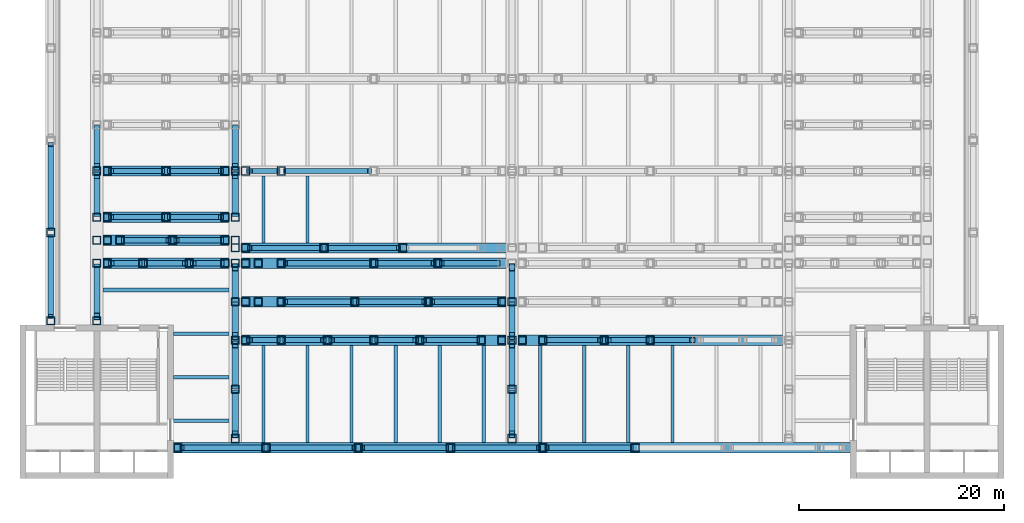
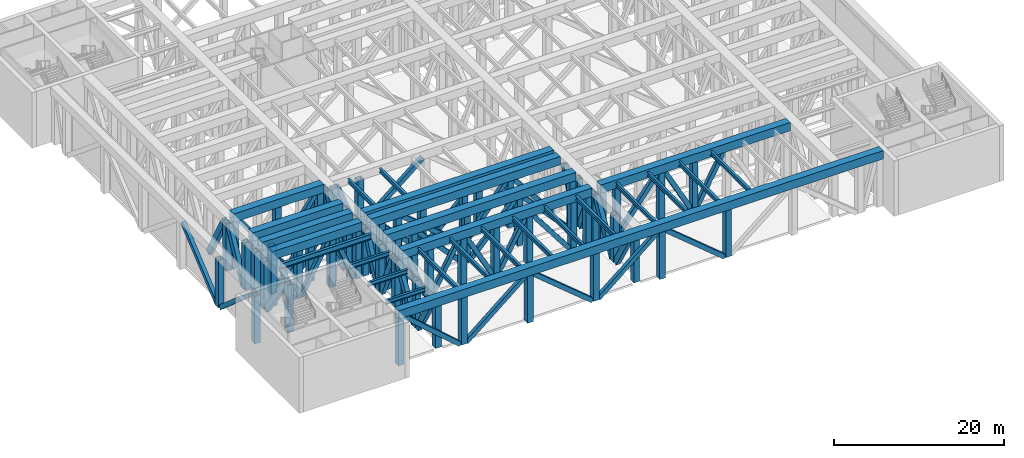
# One storey, part 1 of 20: 124 members, 16 beams.
"""IFC4 building model written with IfcOpenShell, lengths in metres."""

import ifcopenshell
import ifcopenshell.guid

model = None  # the IFC model being written
_history = None  # IfcOwnerHistory: only IFC2X3 demands one
_inside = {}  # id of a spatial element -> (the spatial element, [elements in it])
_under = {}  # id of a project, library or spatial element -> (it, [spatial elements below it])
_declared = {}  # id of a project -> (the project, [libraries it declares])
_typed = {}  # id of a type object -> (the type object, [elements of that type])
_made_of = {}  # id of a material, layer set ... -> (it, [elements and type objects made of it])


def new_model(schema):
    """Start an empty IFC model of exactly this schema.

    Asked for "IFC4X3", IfcOpenShell would pick the latest addendum, in which some entities
    have other attributes; the version numbers below select the first issue.
    IFC2X3 requires an IfcOwnerHistory on every rooted entity: one is made here for all.
    """
    global model, _history
    if schema == "IFC4X3":
        model = ifcopenshell.file(schema_version=(4, 3, 0, 0))
    else:
        model = ifcopenshell.file(schema=schema)
    _inside.clear()
    _under.clear()
    _declared.clear()
    _typed.clear()
    _made_of.clear()
    _history = None
    if model.schema == "IFC2X3":
        org = make("IfcOrganization", Name="unknown")
        user = make(
            "IfcPersonAndOrganization",
            ThePerson=make("IfcPerson", FamilyName="unknown"),
            TheOrganization=org,
        )
        app = make(
            "IfcApplication",
            ApplicationDeveloper=org,
            Version="unknown",
            ApplicationFullName="unknown",
            ApplicationIdentifier="unknown",
        )
        _history = make(
            "IfcOwnerHistory",
            OwningUser=user,
            OwningApplication=app,
            ChangeAction="ADDED",
            CreationDate=0,
        )
    return model


def make(cls, **values):
    """One entity of the class cls with the attributes given. An attribute that is None is left unset."""
    return model.create_entity(
        cls, **{name: value for name, value in values.items() if value is not None}
    )


def rooted(cls, **values):
    """An entity with a GlobalId (a new one), such as an element, a storey or a relation."""
    return make(cls, GlobalId=ifcopenshell.guid.new(), OwnerHistory=_history, **values)


def si_unit(unit_type, name, prefix=None):
    """IfcSIUnit, for example si_unit("LENGTHUNIT", "METRE", prefix="MILLI")."""
    return make("IfcSIUnit", UnitType=unit_type, Prefix=prefix, Name=name)


def assignment(units):
    """IfcUnitAssignment: the units of a project."""
    return None if units is None else make("IfcUnitAssignment", Units=units)


def point(xyz):
    """IfcCartesianPoint."""
    return None if xyz is None else make("IfcCartesianPoint", Coordinates=xyz)


def direction(xyz):
    """IfcDirection."""
    return None if xyz is None else make("IfcDirection", DirectionRatios=xyz)


def frame(location, z_axis=None, x_axis=None):
    """IfcAxis2Placement3D, a coordinate frame: its origin and axes. An axis left out is left unset."""
    return make(
        "IfcAxis2Placement3D",
        Location=point(location),
        Axis=direction(z_axis),
        RefDirection=direction(x_axis),
    )


def frame_2d(location, x_axis=None):
    """IfcAxis2Placement2D, a coordinate frame in the plane: its origin and x axis."""
    return make(
        "IfcAxis2Placement2D", Location=point(location), RefDirection=direction(x_axis)
    )


def origin():
    """The frame at (0, 0, 0) with its axes left unset."""
    return frame((0.0, 0.0, 0.0))


def origin_2d():
    """The frame at (0, 0) in the plane with its x axis left unset."""
    return frame_2d((0.0, 0.0))


def place(relative_to, where):
    """IfcLocalPlacement: puts the frame where relative to a parent placement (None: the world)."""
    return make(
        "IfcLocalPlacement", PlacementRelTo=relative_to, RelativePlacement=where
    )


def context(
    kind, dimensions, precision=None, world=None, true_north=None, identifier=None
):
    """IfcGeometricRepresentationContext, for example the 3D "Model" context."""
    return make(
        "IfcGeometricRepresentationContext",
        ContextIdentifier=identifier,
        ContextType=kind,
        CoordinateSpaceDimension=dimensions,
        Precision=precision,
        WorldCoordinateSystem=world,
        TrueNorth=true_north,
    )


def subcontext(parent, identifier, kind, view, scale=None):
    """IfcGeometricRepresentationSubContext, for example "Body" below "Model"."""
    return make(
        "IfcGeometricRepresentationSubContext",
        ContextIdentifier=identifier,
        ContextType=kind,
        ParentContext=parent,
        TargetScale=scale,
        TargetView=view,
    )


def project(units=None, contexts=None):
    """IfcProject with its units and contexts."""
    return rooted(
        "IfcProject",
        Name="project",
        RepresentationContexts=contexts,
        UnitsInContext=assignment(units),
    )


def spatial(cls, under=None, at=None, **own):
    """A site, building, storey or space (cls), placed at a placement, below another one or the project."""
    s = rooted(cls, ObjectPlacement=at, **own)
    if under is not None:
        _under.setdefault(under.id(), (under, []))[1].append(s)
    return s


def profile(cls, at=None, kind="AREA", **sizes):
    """A parametric profile (cls). Its sizes go by their IFC names, for example OverallWidth=200.0."""
    return make(cls, ProfileType=kind, Position=at, **sizes)


def hollow_rectangle(**sizes):
    """IfcRectangleHollowProfileDef."""
    return profile("IfcRectangleHollowProfileDef", **sizes)


def i_section(**sizes):
    """IfcIShapeProfileDef."""
    return profile("IfcIShapeProfileDef", **sizes)


def extrude(swept, where, along, depth):
    """IfcExtrudedAreaSolid: the profile swept, set in the frame where, extruded along a direction by depth."""
    return make(
        "IfcExtrudedAreaSolid",
        SweptArea=swept,
        Position=where,
        ExtrudedDirection=direction(along),
        Depth=depth,
    )


def shape(context_of_items, identifier, shape_type, items):
    """IfcShapeRepresentation: the items that make up one representation, for example the "Body"."""
    return make(
        "IfcShapeRepresentation",
        ContextOfItems=context_of_items,
        RepresentationIdentifier=identifier,
        RepresentationType=shape_type,
        Items=items,
    )


def material(Name=None, Category=None):
    """IfcMaterial."""
    return make("IfcMaterial", Name=Name, Category=Category)


def material_profile(
    of_material, cross_section, Name=None, Category=None, Priority=None
):
    """IfcMaterialProfile: a cross section and its material."""
    return make(
        "IfcMaterialProfile",
        Name=Name,
        Material=of_material,
        Profile=cross_section,
        Priority=Priority,
        Category=Category,
    )


def profile_set(profiles, Name=None, composite=None):
    """IfcMaterialProfileSet."""
    return make(
        "IfcMaterialProfileSet",
        Name=Name,
        MaterialProfiles=profiles,
        CompositeProfile=composite,
    )


def made_of(thing, what):
    """Note that an element or type object is made of a material, layer set ...; save() writes the relation."""
    if what is not None:
        _made_of.setdefault(what.id(), (what, []))[1].append(thing)
    return thing


def type_object(cls, material=None, **own):
    """A type object (cls), such as IfcWallType, which elements share."""
    return made_of(rooted(cls, **own), material)


def element(
    cls,
    number,
    at=None,
    inside=None,
    cuts=None,
    type_object=None,
    material=None,
    context=None,
    identifier="Body",
    shape_type=None,
    held_by="IfcProductDefinitionShape",
    body=None,
    shapes=None,
    **own,
):
    """One element of the class cls, such as IfcWall. Its Tag is "e" and its number.

    at: its placement. inside: the storey or other place that contains it. cuts: it is an
    opening in that element (IfcRelVoidsElement). A single representation is given by context,
    identifier, shape_type and body (its items); several are given by shapes. held_by: the class
    of the entity that holds the representations. save() writes the other relations.
    """
    e = rooted(cls, Tag="e%d" % number, ObjectPlacement=at, **own)
    if body is not None:
        shapes = [shape(context, identifier, shape_type, body)]
    if shapes is not None:
        e.Representation = make(held_by, Representations=shapes)
    if inside is not None:
        _inside.setdefault(inside.id(), (inside, []))[1].append(e)
    if cuts is not None:
        rooted(
            "IfcRelVoidsElement", RelatingBuildingElement=cuts, RelatedOpeningElement=e
        )
    if type_object is not None:
        _typed.setdefault(type_object.id(), (type_object, []))[1].append(e)
    return made_of(e, material)


def aggregate(whole, parts):
    """IfcRelAggregates: a whole, such as a stair, and the parts it consists of."""
    return rooted("IfcRelAggregates", RelatingObject=whole, RelatedObjects=parts)


def save(model, path):
    """Write the relations noted so far, then the file.

    IfcRelAggregates (storeys below a building ...), IfcRelContainedInSpatialStructure (elements
    in a storey), IfcRelDefinesByType, IfcRelAssociatesMaterial and IfcRelDeclares: one each for
    every whole, place, type object, material and project.
    """
    for whole, parts in _under.values():
        aggregate(whole, parts)
    for where, things in _inside.values():
        rooted(
            "IfcRelContainedInSpatialStructure",
            RelatedElements=things,
            RelatingStructure=where,
        )
    for kind, things in _typed.values():
        rooted("IfcRelDefinesByType", RelatedObjects=things, RelatingType=kind)
    for what, things in _made_of.values():
        rooted("IfcRelAssociatesMaterial", RelatedObjects=things, RelatingMaterial=what)
    for by, libraries in _declared.values():
        rooted("IfcRelDeclares", RelatingContext=by, RelatedDefinitions=libraries)
    model.write(path)


model = new_model("IFC4")

# Units and contexts
model_context = context("Model", 3, precision=1e-05, world=origin(), true_north=direction((0.0, 1.0)))
body_context = subcontext(model_context, "Body", "Model", "MODEL_VIEW")
ifc_project = project(units=[si_unit("LENGTHUNIT", "METRE"), si_unit("AREAUNIT", "SQUARE_METRE"), si_unit("VOLUMEUNIT", "CUBIC_METRE"), si_unit("PLANEANGLEUNIT", "RADIAN"), si_unit("MASSUNIT", "GRAM", prefix="KILO")], contexts=[model_context])

# Site, building, storey
site_placement = place(None, origin())
site = spatial("IfcSite", under=ifc_project, at=site_placement, CompositionType="ELEMENT")
building_placement = place(site_placement, origin())
building = spatial("IfcBuilding", under=site, at=building_placement, Name="Corbelhall Arena Tower", CompositionType="ELEMENT")
storey_placement = place(building_placement, frame((0.0, 0.0, 44.0)))
storey = spatial("IfcBuildingStorey", under=building, at=storey_placement, Name="L06", CompositionType="ELEMENT", Elevation=44.0)

# Beams
ifc_material_1 = material(Name="Steel ASTM A992 Gr50", Category="steel")
ifc_material_profile_1 = material_profile(ifc_material_1, i_section(OverallWidth=0.323974609375, OverallDepth=0.611083984375, WebThickness=0.0126953125, FlangeThickness=0.01904296875, at=origin_2d()))
ifc_profile_set_1 = profile_set([ifc_material_profile_1], Name="Steel ASTM A992 Gr50")
beam_type_1 = type_object("IfcBeamType", Name="PO-BEAM-W24X104", PredefinedType="BEAM", material=ifc_profile_set_1)
for number, where, z_axis, x_axis, name in (
    (1, (-33.0, -33.375, 7.39453125), (1.0, 0.0, 0.0), (0.0, 1.0, 0.0), "DECK BEAM MID 12.1"),
    (2, (-33.0, -29.125, 7.39453125), (1.0, 0.0, 0.0), (0.0, 1.0, 0.0), "DECK BEAM MID 12.2"),
    (3, (-33.0, -24.875, 7.39453125), (1.0, 0.0, 0.0), (0.0, 1.0, 0.0), "DECK BEAM MID 12.3"),
):
    element("IfcBeam", number, at=place(storey_placement, frame(where, z_axis=z_axis, x_axis=x_axis)), inside=storey, type_object=beam_type_1, Name=name, PredefinedType="BEAM", context=body_context, shape_type="SweptSolid", body=[
        extrude(i_section(OverallWidth=0.323974609375, OverallDepth=0.611083984375, WebThickness=0.0126953125, FlangeThickness=0.01904296875, at=origin_2d()), origin(), (0.0, 0.0, 1.0), 5.39990234375),
    ])
for number, where, z_axis, x_axis, name in (
    (4, (-24.25, -35.5, 7.39453125), (0.0, 1.0, 0.0), (-1.0, 0.0, 0.0), "DECK BEAM MID 17.1"),
    (5, (-19.949951171875, -35.5, 7.39453125), (0.0, 1.0, 0.0), (-1.0, 0.0, 0.0), "DECK BEAM MID 17.2"),
    (6, (-15.64990234375, -35.5, 7.39453125), (0.0, 1.0, 0.0), (-1.0, 0.0, 0.0), "DECK BEAM MID 17.3"),
    (7, (-11.35009765625, -35.5, 7.39453125), (0.0, 1.0, 0.0), (-1.0, 0.0, 0.0), "DECK BEAM MID 17.4"),
    (8, (-7.050048828125, -35.5, 7.39453125), (0.0, 1.0, 0.0), (-1.0, 0.0, 0.0), "DECK BEAM MID 17.5"),
    (9, (-2.75, -35.5, 7.39453125), (0.0, 1.0, 0.0), (-1.0, 0.0, 0.0), "DECK BEAM MID 17.6"),
):
    element("IfcBeam", number, at=place(storey_placement, frame(where, z_axis=z_axis, x_axis=x_axis)), inside=storey, type_object=beam_type_1, Name=name, PredefinedType="BEAM", context=body_context, shape_type="SweptSolid", body=[
        extrude(i_section(OverallWidth=0.323974609375, OverallDepth=0.611083984375, WebThickness=0.0126953125, FlangeThickness=0.01904296875, at=origin_2d()), origin(), (0.0, 0.0, 1.0), 9.5),
    ])
for number, where, z_axis, x_axis, name in (
    (10, (-24.25, -16.0, 7.39453125), (0.0, 1.0, 0.0), (-1.0, 0.0, 0.0), "DECK BEAM MID 21.1"),
    (11, (-19.949951171875, -16.0, 7.39453125), (0.0, 1.0, 0.0), (-1.0, 0.0, 0.0), "DECK BEAM MID 21.2"),
):
    element("IfcBeam", number, at=place(storey_placement, frame(where, z_axis=z_axis, x_axis=x_axis)), inside=storey, type_object=beam_type_1, Name=name, PredefinedType="BEAM", context=body_context, shape_type="SweptSolid", body=[
        extrude(i_section(OverallWidth=0.323974609375, OverallDepth=0.611083984375, WebThickness=0.0126953125, FlangeThickness=0.01904296875, at=origin_2d()), origin(), (0.0, 0.0, 1.0), 6.5),
    ])
for number, where, z_axis, x_axis, name in (
    (12, (2.75, -35.5, 7.39453125), (0.0, 1.0, 0.0), (-1.0, 0.0, 0.0), "DECK BEAM MID 28.1"),
    (13, (7.050048828125, -35.5, 7.39453125), (0.0, 1.0, 0.0), (-1.0, 0.0, 0.0), "DECK BEAM MID 28.2"),
    (14, (11.35009765625, -35.5, 7.39453125), (0.0, 1.0, 0.0), (-1.0, 0.0, 0.0), "DECK BEAM MID 28.3"),
    (15, (15.64990234375, -35.5, 7.39453125), (0.0, 1.0, 0.0), (-1.0, 0.0, 0.0), "DECK BEAM MID 28.4"),
):
    element("IfcBeam", number, at=place(storey_placement, frame(where, z_axis=z_axis, x_axis=x_axis)), inside=storey, type_object=beam_type_1, Name=name, PredefinedType="BEAM", context=body_context, shape_type="SweptSolid", body=[
        extrude(i_section(OverallWidth=0.323974609375, OverallDepth=0.611083984375, WebThickness=0.0126953125, FlangeThickness=0.01904296875, at=origin_2d()), origin(), (0.0, 0.0, 1.0), 9.5),
    ])
ifc_material_profile_2 = material_profile(ifc_material_1, i_section(OverallWidth=0.381103515625, OverallDepth=0.77294921875, WebThickness=0.0166015625, FlangeThickness=0.027099609375, at=origin_2d()))
ifc_profile_set_2 = profile_set([ifc_material_profile_2], Name="Steel ASTM A992 Gr50")
beam_type_2 = type_object("IfcBeamType", Name="PO-BEAM-W30X173", PredefinedType="BEAM", material=ifc_profile_set_2)
beam_placement = place(storey_placement, frame((-39.89990234375, -20.625, 7.3134765625), z_axis=(1.0, 0.0, 0.0), x_axis=(0.0, 1.0, 0.0)))
element("IfcBeam", 16, at=beam_placement, inside=storey, type_object=beam_type_2, Name="DECK BEAM MID 12.4", PredefinedType="BEAM", context=body_context, shape_type="SweptSolid", body=[
    extrude(i_section(OverallWidth=0.381103515625, OverallDepth=0.77294921875, WebThickness=0.0166015625, FlangeThickness=0.027099609375, at=origin_2d()), origin(), (0.0, 0.0, 1.0), 12.2998046875),
])

# Members
ifc_material_2 = material(Name="Steel ASTM A572 Gr50", Category="steel")
ifc_material_profile_3 = material_profile(ifc_material_2, hollow_rectangle(XDim=0.5, YDim=0.60009765625, WallThickness=0.030029296875, at=origin_2d()))
ifc_profile_set_3 = profile_set([ifc_material_profile_3], Name="Steel ASTM A572 Gr50")
member_type_1 = type_object("IfcMemberType", Name="PO-BRACE-600X500X30", PredefinedType="BRACE", material=ifc_profile_set_3)
member_1_placement = place(storey_placement, frame((-32.199951171875, -36.0, 6.800048828125), z_axis=(0.753772430258, 0.0, -0.657135544148), x_axis=(0.0, 1.0, 0.0)))
element("IfcMember", 17, at=member_1_placement, inside=storey, type_object=member_type_1, Name="TRUSS EDGE-S BRACE 1.1", PredefinedType="BRACE", context=body_context, shape_type="SweptSolid", body=[
    extrude(hollow_rectangle(XDim=0.5, YDim=0.60009765625, WallThickness=0.030029296875, at=origin_2d()), origin(), (0.0, 0.0, 1.0), 10.347900390625),
])
for number, where, z_axis, x_axis, name in (
    (18, (-23.60009765625, -36.0, 0.0), (0.769763178873, 0.0, 0.638329576669), (0.0, 1.0, 0.0), "TRUSS EDGE-S BRACE 1.2"),
    (19, (-14.60009765625, -36.0, 6.800048828125), (0.769763178873, 0.0, -0.638329576669), (0.0, 1.0, 0.0), "TRUSS EDGE-S BRACE 1.3"),
    (20, (-5.60009765625, -36.0, 0.0), (0.769763178873, 0.0, 0.638329576669), (0.0, 1.0, 0.0), "TRUSS EDGE-S BRACE 1.4"),
    (21, (3.39990234375, -36.0, 6.800048828125), (0.769763178873, 0.0, -0.638329576669), (0.0, 1.0, 0.0), "TRUSS EDGE-S BRACE 1.5"),
):
    element("IfcMember", number, at=place(storey_placement, frame(where, z_axis=z_axis, x_axis=x_axis)), inside=storey, type_object=member_type_1, Name=name, PredefinedType="BRACE", context=body_context, shape_type="SweptSolid", body=[
        extrude(hollow_rectangle(XDim=0.5, YDim=0.60009765625, WallThickness=0.030029296875, at=origin_2d()), origin(), (0.0, 0.0, 1.0), 10.65283203125),
    ])
member_2_placement = place(storey_placement, frame((-45.0, -23.199951171875, 6.800048828125), z_axis=(0.0, 0.753772430258, -0.657135544148), x_axis=(-1.0, 0.0, 0.0)))
element("IfcMember", 22, at=member_2_placement, inside=storey, type_object=member_type_1, Name="TRUSS EDGE-W BRACE 1.1", PredefinedType="BRACE", context=body_context, shape_type="SweptSolid", body=[
    extrude(hollow_rectangle(XDim=0.5, YDim=0.60009765625, WallThickness=0.030029296875, at=origin_2d()), origin(), (0.0, 0.0, 1.0), 10.347900390625),
])
member_3_placement = place(storey_placement, frame((-45.0, -14.60009765625, 0.0), z_axis=(0.0, 0.769763178873, 0.638329576669), x_axis=(-1.0, 0.0, 0.0)))
element("IfcMember", 23, at=member_3_placement, inside=storey, type_object=member_type_1, Name="TRUSS EDGE-W BRACE 1.2", PredefinedType="BRACE", context=body_context, shape_type="SweptSolid", body=[
    extrude(hollow_rectangle(XDim=0.5, YDim=0.60009765625, WallThickness=0.030029296875, at=origin_2d()), origin(), (0.0, 0.0, 1.0), 10.65283203125),
])
member_4_placement = place(storey_placement, frame((-25.60009765625, -25.5, 6.800048828125), z_axis=(0.369053718093, 0.0, -0.929408066008), x_axis=(0.0, 1.0, 0.0)))
element("IfcMember", 24, at=member_4_placement, inside=storey, type_object=member_type_1, Name="TRUSS SEC-S25.50-1 BRACE 1.1", PredefinedType="BRACE", context=body_context, shape_type="SweptSolid", body=[
    extrude(hollow_rectangle(XDim=0.5, YDim=0.60009765625, WallThickness=0.030029296875, at=origin_2d()), origin(), (0.0, 0.0, 1.0), 7.316650390625),
])
for number, where, z_axis, x_axis, name in (
    (25, (-22.10009765625, -25.5, 0.0), (0.477963647565, 0.0, 0.878379617026), (0.0, 1.0, 0.0), "TRUSS SEC-S25.50-1 BRACE 1.2"),
    (26, (-17.60009765625, -25.5, 6.800048828125), (0.477963647565, 0.0, -0.878379617026), (0.0, 1.0, 0.0), "TRUSS SEC-S25.50-1 BRACE 1.3"),
    (27, (-13.10009765625, -25.5, 0.0), (0.477963647565, 0.0, 0.878379617026), (0.0, 1.0, 0.0), "TRUSS SEC-S25.50-1 BRACE 1.4"),
):
    element("IfcMember", number, at=place(storey_placement, frame(where, z_axis=z_axis, x_axis=x_axis)), inside=storey, type_object=member_type_1, Name=name, PredefinedType="BRACE", context=body_context, shape_type="SweptSolid", body=[
        extrude(hollow_rectangle(XDim=0.5, YDim=0.60009765625, WallThickness=0.030029296875, at=origin_2d()), origin(), (0.0, 0.0, 1.0), 7.74169921875),
    ])
for number, where, z_axis, x_axis, name in (
    (28, (-8.60009765625, -25.5, 6.800048828125), (0.607461751861, 0.0, -0.794348928385), (0.0, 1.0, 0.0), "TRUSS SEC-S25.50-1 BRACE 1.5"),
    (29, (3.39990234375, -25.5, 0.0), (0.607461751861, 0.0, 0.794348928385), (0.0, 1.0, 0.0), "TRUSS SEC-S25.50-2 BRACE 1.2"),
):
    element("IfcMember", number, at=place(storey_placement, frame(where, z_axis=z_axis, x_axis=x_axis)), inside=storey, type_object=member_type_1, Name=name, PredefinedType="BRACE", context=body_context, shape_type="SweptSolid", body=[
        extrude(hollow_rectangle(XDim=0.5, YDim=0.60009765625, WallThickness=0.030029296875, at=origin_2d()), origin(), (0.0, 0.0, 1.0), 8.560546875),
    ])
for number, where, z_axis, x_axis, name in (
    (30, (9.39990234375, -25.5, 6.800048828125), (0.477963647565, 0.0, -0.878379617026), (0.0, 1.0, 0.0), "TRUSS SEC-S25.50-2 BRACE 1.3"),
    (31, (13.89990234375, -25.5, 0.0), (0.477963647565, 0.0, 0.878379617026), (0.0, 1.0, 0.0), "TRUSS SEC-S25.50-2 BRACE 1.4"),
):
    element("IfcMember", number, at=place(storey_placement, frame(where, z_axis=z_axis, x_axis=x_axis)), inside=storey, type_object=member_type_1, Name=name, PredefinedType="BRACE", context=body_context, shape_type="SweptSolid", body=[
        extrude(hollow_rectangle(XDim=0.5, YDim=0.60009765625, WallThickness=0.030029296875, at=origin_2d()), origin(), (0.0, 0.0, 1.0), 7.74169921875),
    ])
for number, where, z_axis, x_axis, name in (
    (32, (-22.10009765625, -21.75, 6.800048828125), (0.683464108742, 0.0, -0.729984117677), (0.0, 1.0, 0.0), "TRUSS SEC-S21.75-1 BRACE 1.3"),
    (33, (-14.933349609375, -21.75, 0.0), (0.683464108742, 0.0, 0.729984117677), (0.0, 1.0, 0.0), "TRUSS SEC-S21.75-1 BRACE 1.4"),
    (34, (-7.7666015625, -21.75, 6.800048828125), (0.683464108742, 0.0, -0.729984117677), (0.0, 1.0, 0.0), "TRUSS SEC-S21.75-1 BRACE 1.5"),
):
    element("IfcMember", number, at=place(storey_placement, frame(where, z_axis=z_axis, x_axis=x_axis)), inside=storey, type_object=member_type_1, Name=name, PredefinedType="BRACE", context=body_context, shape_type="SweptSolid", body=[
        extrude(hollow_rectangle(XDim=0.5, YDim=0.60009765625, WallThickness=0.030029296875, at=origin_2d()), origin(), (0.0, 0.0, 1.0), 9.3154296875),
    ])
member_5_placement = place(storey_placement, frame((-39.10009765625, -18.0, 6.800048828125), z_axis=(0.369053718093, 0.0, -0.929408066008), x_axis=(0.0, 1.0, 0.0)))
element("IfcMember", 35, at=member_5_placement, inside=storey, type_object=member_type_1, Name="TRUSS SEC-S18.00-0 BRACE 1.1", PredefinedType="BRACE", context=body_context, shape_type="SweptSolid", body=[
    extrude(hollow_rectangle(XDim=0.5, YDim=0.60009765625, WallThickness=0.030029296875, at=origin_2d()), origin(), (0.0, 0.0, 1.0), 7.316650390625),
])
member_6_placement = place(storey_placement, frame((-35.60009765625, -18.0, 0.0), z_axis=(0.477963647565, 0.0, 0.878379617026), x_axis=(0.0, 1.0, 0.0)))
element("IfcMember", 36, at=member_6_placement, inside=storey, type_object=member_type_1, Name="TRUSS SEC-S18.00-0 BRACE 1.2", PredefinedType="BRACE", context=body_context, shape_type="SweptSolid", body=[
    extrude(hollow_rectangle(XDim=0.5, YDim=0.60009765625, WallThickness=0.030029296875, at=origin_2d()), origin(), (0.0, 0.0, 1.0), 7.74169921875),
])
member_7_placement = place(storey_placement, frame((-31.10009765625, -18.0, 6.800048828125), z_axis=(0.369053718093, 0.0, -0.929408066008), x_axis=(0.0, 1.0, 0.0)))
element("IfcMember", 37, at=member_7_placement, inside=storey, type_object=member_type_1, Name="TRUSS SEC-S18.00-0 BRACE 1.3", PredefinedType="BRACE", context=body_context, shape_type="SweptSolid", body=[
    extrude(hollow_rectangle(XDim=0.5, YDim=0.60009765625, WallThickness=0.030029296875, at=origin_2d()), origin(), (0.0, 0.0, 1.0), 7.316650390625),
])
member_8_placement = place(storey_placement, frame((-22.10009765625, -18.0, 6.800048828125), z_axis=(0.769763178873, 0.0, -0.638329576669), x_axis=(0.0, 1.0, 0.0)))
element("IfcMember", 38, at=member_8_placement, inside=storey, type_object=member_type_1, Name="TRUSS SEC-S18.00-1 BRACE 1.3", PredefinedType="BRACE", context=body_context, shape_type="SweptSolid", body=[
    extrude(hollow_rectangle(XDim=0.5, YDim=0.60009765625, WallThickness=0.030029296875, at=origin_2d()), origin(), (0.0, 0.0, 1.0), 10.65283203125),
])
for number, where, z_axis, x_axis, name in (
    (39, (-13.10009765625, -18.0, 0.0), (0.625405411621, 0.0, 0.780299987899), (0.0, 1.0, 0.0), "TRUSS SEC-S18.00-1 BRACE 1.4"),
    (40, (-6.85009765625, -18.0, 6.800048828125), (0.625405411621, 0.0, -0.780299987899), (0.0, 1.0, 0.0), "TRUSS SEC-S18.00-1 BRACE 1.5"),
):
    element("IfcMember", number, at=place(storey_placement, frame(where, z_axis=z_axis, x_axis=x_axis)), inside=storey, type_object=member_type_1, Name=name, PredefinedType="BRACE", context=body_context, shape_type="SweptSolid", body=[
        extrude(hollow_rectangle(XDim=0.5, YDim=0.60009765625, WallThickness=0.030029296875, at=origin_2d()), origin(), (0.0, 0.0, 1.0), 8.714599609375),
    ])
for number, where, z_axis, x_axis, name in (
    (41, (-25.60009765625, -16.5, 6.800048828125), (0.71054677033, 0.0, -0.703649974898), (0.0, 1.0, 0.0), "TRUSS SEC-S16.50-1 BRACE 1.1"),
    (42, (-17.933349609375, -16.5, 0.0), (0.71054677033, 0.0, 0.703649974898), (0.0, 1.0, 0.0), "TRUSS SEC-S16.50-1 BRACE 1.2"),
):
    element("IfcMember", number, at=place(storey_placement, frame(where, z_axis=z_axis, x_axis=x_axis)), inside=storey, type_object=member_type_1, Name=name, PredefinedType="BRACE", context=body_context, shape_type="SweptSolid", body=[
        extrude(hollow_rectangle(XDim=0.5, YDim=0.60009765625, WallThickness=0.030029296875, at=origin_2d()), origin(), (0.0, 0.0, 1.0), 9.6640625),
    ])
for number, where, z_axis, x_axis, name in (
    (43, (-37.85009765625, -15.75, 0.0), (0.536689259852, 0.0, 0.843779970347), (0.0, 1.0, 0.0), "TRUSS SEC-S15.75-0 BRACE 1.2"),
    (44, (-32.72509765625, -15.75, 6.800048828125), (0.536689259852, 0.0, -0.843779970347), (0.0, 1.0, 0.0), "TRUSS SEC-S15.75-0 BRACE 1.3"),
):
    element("IfcMember", number, at=place(storey_placement, frame(where, z_axis=z_axis, x_axis=x_axis)), inside=storey, type_object=member_type_1, Name=name, PredefinedType="BRACE", context=body_context, shape_type="SweptSolid", body=[
        extrude(hollow_rectangle(XDim=0.5, YDim=0.60009765625, WallThickness=0.030029296875, at=origin_2d()), origin(), (0.0, 0.0, 1.0), 8.05908203125),
    ])
for number, where, z_axis, x_axis, name in (
    (45, (-39.10009765625, -13.5, 6.800048828125), (0.588537525925, 0.0, -0.808469900848), (0.0, 1.0, 0.0), "TRUSS SEC-S13.50-0 BRACE 1.1"),
    (46, (-33.35009765625, -13.5, 0.0), (0.588537525925, 0.0, 0.808469900848), (0.0, 1.0, 0.0), "TRUSS SEC-S13.50-0 BRACE 1.2"),
    (47, (-39.10009765625, -9.0, 6.800048828125), (0.588537525925, 0.0, -0.808469900848), (0.0, 1.0, 0.0), "TRUSS SEC-S09.00-0 BRACE 1.1"),
    (48, (-33.35009765625, -9.0, 0.0), (0.588537525925, 0.0, 0.808469900848), (0.0, 1.0, 0.0), "TRUSS SEC-S09.00-0 BRACE 1.2"),
):
    element("IfcMember", number, at=place(storey_placement, frame(where, z_axis=z_axis, x_axis=x_axis)), inside=storey, type_object=member_type_1, Name=name, PredefinedType="BRACE", context=body_context, shape_type="SweptSolid", body=[
        extrude(hollow_rectangle(XDim=0.5, YDim=0.60009765625, WallThickness=0.030029296875, at=origin_2d()), origin(), (0.0, 0.0, 1.0), 8.410888671875),
    ])
member_9_placement = place(storey_placement, frame((-25.60009765625, -9.0, 6.800048828125), z_axis=(0.369053718093, 0.0, -0.929408066008), x_axis=(0.0, 1.0, 0.0)))
element("IfcMember", 49, at=member_9_placement, inside=storey, type_object=member_type_1, Name="TRUSS SEC-S09.00-1 BRACE 1.1", PredefinedType="BRACE", context=body_context, shape_type="SweptSolid", body=[
    extrude(hollow_rectangle(XDim=0.5, YDim=0.60009765625, WallThickness=0.030029296875, at=origin_2d()), origin(), (0.0, 0.0, 1.0), 7.316650390625),
])
member_10_placement = place(storey_placement, frame((-22.10009765625, -9.0, 0.0), z_axis=(0.769763178873, 0.0, 0.638329576669), x_axis=(0.0, 1.0, 0.0)))
element("IfcMember", 50, at=member_10_placement, inside=storey, type_object=member_type_1, Name="TRUSS SEC-S09.00-1 BRACE 1.2", PredefinedType="BRACE", context=body_context, shape_type="SweptSolid", body=[
    extrude(hollow_rectangle(XDim=0.5, YDim=0.60009765625, WallThickness=0.030029296875, at=origin_2d()), origin(), (0.0, 0.0, 1.0), 10.65283203125),
])
ifc_material_profile_4 = material_profile(ifc_material_2, hollow_rectangle(XDim=0.60009765625, YDim=0.800048828125, WallThickness=0.0400390625, at=origin_2d()))
ifc_profile_set_4 = profile_set([ifc_material_profile_4], Name="Steel ASTM A572 Gr50")
member_type_2 = type_object("IfcMemberType", Name="PO-BRACE-800X600X40", PredefinedType="BRACE", material=ifc_profile_set_4)
member_11_placement = place(storey_placement, frame((-40.5, -23.199951171875, 6.800048828125), z_axis=(0.0, 0.576684349177, -0.816967050385), x_axis=(-1.0, 0.0, 0.0)))
element("IfcMember", 51, at=member_11_placement, inside=storey, type_object=member_type_2, Name="TRUSS PRI--40.5 BRACE 1.1", PredefinedType="BRACE", context=body_context, shape_type="SweptSolid", body=[
    extrude(hollow_rectangle(XDim=0.60009765625, YDim=0.800048828125, WallThickness=0.0400390625, at=origin_2d()), origin(), (0.0, 0.0, 1.0), 8.323486328125),
])
for number, where, z_axis, x_axis, name in (
    (52, (-40.5, -13.10009765625, 0.0), (0.0, 0.477963647565, 0.878379617026), (-1.0, 0.0, 0.0), "TRUSS PRI--40.5 BRACE 1.4"),
    (53, (-40.5, -8.60009765625, 6.800048828125), (0.0, 0.477963647565, -0.878379617026), (-1.0, 0.0, 0.0), "TRUSS PRI--40.5 BRACE 1.5"),
):
    element("IfcMember", number, at=place(storey_placement, frame(where, z_axis=z_axis, x_axis=x_axis)), inside=storey, type_object=member_type_2, Name=name, PredefinedType="BRACE", context=body_context, shape_type="SweptSolid", body=[
        extrude(hollow_rectangle(XDim=0.60009765625, YDim=0.800048828125, WallThickness=0.0400390625, at=origin_2d()), origin(), (0.0, 0.0, 1.0), 7.74169921875),
    ])
for number, where, z_axis, x_axis, name in (
    (54, (-27.0, -34.699951171875, 6.800048828125), (0.0, 0.507017421779, -0.861935806202), (-1.0, 0.0, 0.0), "TRUSS PRI--27.0 BRACE 1.1"),
    (55, (-27.0, -29.89990234375, 0.0), (0.0, 0.507017421779, 0.861935806202), (-1.0, 0.0, 0.0), "TRUSS PRI--27.0 BRACE 1.2"),
):
    element("IfcMember", number, at=place(storey_placement, frame(where, z_axis=z_axis, x_axis=x_axis)), inside=storey, type_object=member_type_2, Name=name, PredefinedType="BRACE", context=body_context, shape_type="SweptSolid", body=[
        extrude(hollow_rectangle(XDim=0.60009765625, YDim=0.800048828125, WallThickness=0.0400390625, at=origin_2d()), origin(), (0.0, 0.0, 1.0), 7.88916015625),
    ])
for number, where, z_axis, x_axis, name in (
    (56, (-27.0, -25.10009765625, 6.800048828125), (0.0, 0.398005781953, -0.917382906715), (-1.0, 0.0, 0.0), "TRUSS PRI--27.0 BRACE 1.3"),
    (57, (-27.0, -21.35009765625, 0.0), (0.0, 0.398005781953, 0.917382906715), (-1.0, 0.0, 0.0), "TRUSS PRI--27.0 BRACE 1.4"),
):
    element("IfcMember", number, at=place(storey_placement, frame(where, z_axis=z_axis, x_axis=x_axis)), inside=storey, type_object=member_type_2, Name=name, PredefinedType="BRACE", context=body_context, shape_type="SweptSolid", body=[
        extrude(hollow_rectangle(XDim=0.60009765625, YDim=0.800048828125, WallThickness=0.0400390625, at=origin_2d()), origin(), (0.0, 0.0, 1.0), 7.412353515625),
    ])
for number, where, z_axis, x_axis, name in (
    (58, (-27.0, -13.10009765625, 0.0), (0.0, 0.477963647565, 0.878379617026), (-1.0, 0.0, 0.0), "TRUSS PRI--27.0 BRACE 1.8"),
    (59, (-27.0, -8.60009765625, 6.800048828125), (0.0, 0.477963647565, -0.878379617026), (-1.0, 0.0, 0.0), "TRUSS PRI--27.0 BRACE 1.9"),
):
    element("IfcMember", number, at=place(storey_placement, frame(where, z_axis=z_axis, x_axis=x_axis)), inside=storey, type_object=member_type_2, Name=name, PredefinedType="BRACE", context=body_context, shape_type="SweptSolid", body=[
        extrude(hollow_rectangle(XDim=0.60009765625, YDim=0.800048828125, WallThickness=0.0400390625, at=origin_2d()), origin(), (0.0, 0.0, 1.0), 7.74169921875),
    ])
for number, where, z_axis, x_axis, name in (
    (60, (0.0, -34.699951171875, 6.800048828125), (0.0, 0.507017421779, -0.861935806202), (-1.0, 0.0, 0.0), "TRUSS PRI-+0.0 BRACE 1.1"),
    (61, (0.0, -29.89990234375, 0.0), (0.0, 0.507017421779, 0.861935806202), (-1.0, 0.0, 0.0), "TRUSS PRI-+0.0 BRACE 1.2"),
):
    element("IfcMember", number, at=place(storey_placement, frame(where, z_axis=z_axis, x_axis=x_axis)), inside=storey, type_object=member_type_2, Name=name, PredefinedType="BRACE", context=body_context, shape_type="SweptSolid", body=[
        extrude(hollow_rectangle(XDim=0.60009765625, YDim=0.800048828125, WallThickness=0.0400390625, at=origin_2d()), origin(), (0.0, 0.0, 1.0), 7.88916015625),
    ])
for number, where, z_axis, x_axis, name in (
    (62, (0.0, -25.10009765625, 6.800048828125), (0.0, 0.398005781953, -0.917382906715), (-1.0, 0.0, 0.0), "TRUSS PRI-+0.0 BRACE 1.3"),
    (63, (0.0, -21.35009765625, 0.0), (0.0, 0.398005781953, 0.917382906715), (-1.0, 0.0, 0.0), "TRUSS PRI-+0.0 BRACE 1.4"),
):
    element("IfcMember", number, at=place(storey_placement, frame(where, z_axis=z_axis, x_axis=x_axis)), inside=storey, type_object=member_type_2, Name=name, PredefinedType="BRACE", context=body_context, shape_type="SweptSolid", body=[
        extrude(hollow_rectangle(XDim=0.60009765625, YDim=0.800048828125, WallThickness=0.0400390625, at=origin_2d()), origin(), (0.0, 0.0, 1.0), 7.412353515625),
    ])
ifc_material_profile_5 = material_profile(ifc_material_2, hollow_rectangle(XDim=1.0, YDim=1.199951171875, WallThickness=0.06005859375, at=origin_2d()))
ifc_profile_set_5 = profile_set([ifc_material_profile_5], Name="Steel ASTM A572 Gr50")
member_type_3 = type_object("IfcMemberType", Name="PO-CHORD-1200X1000X60", PredefinedType="CHORD", material=ifc_profile_set_5)
member_12_placement = place(storey_placement, frame((-33.0, -36.0, 7.39990234375), z_axis=(1.0, 0.0, 0.0), x_axis=(0.0, 1.0, 0.0)))
element("IfcMember", 64, at=member_12_placement, inside=storey, type_object=member_type_3, Name="TRUSS EDGE-S MID CHORD", PredefinedType="CHORD", context=body_context, shape_type="SweptSolid", body=[
    extrude(hollow_rectangle(XDim=1.0, YDim=1.199951171875, WallThickness=0.06005859375, at=origin_2d()), origin(), (0.0, 0.0, 1.0), 66.0),
])
for number, where, z_axis, x_axis, name in (
    (65, (-26.39990234375, -25.5, 7.39990234375), (1.0, 0.0, 0.0), (0.0, 1.0, 0.0), "TRUSS SEC-S25.50-1 MID CHORD"),
    (66, (0.60009765625, -25.5, 7.39990234375), (1.0, 0.0, 0.0), (0.0, 1.0, 0.0), "TRUSS SEC-S25.50-2 MID CHORD"),
    (67, (-26.39990234375, -21.75, 7.39990234375), (1.0, 0.0, 0.0), (0.0, 1.0, 0.0), "TRUSS SEC-S21.75-1 MID CHORD"),
):
    element("IfcMember", number, at=place(storey_placement, frame(where, z_axis=z_axis, x_axis=x_axis)), inside=storey, type_object=member_type_3, Name=name, PredefinedType="CHORD", context=body_context, shape_type="SweptSolid", body=[
        extrude(hollow_rectangle(XDim=1.0, YDim=1.199951171875, WallThickness=0.06005859375, at=origin_2d()), origin(), (0.0, 0.0, 1.0), 25.7998046875),
    ])
member_13_placement = place(storey_placement, frame((-39.89990234375, -18.0, 7.39990234375), z_axis=(1.0, 0.0, 0.0), x_axis=(0.0, 1.0, 0.0)))
element("IfcMember", 68, at=member_13_placement, inside=storey, type_object=member_type_3, Name="TRUSS SEC-S18.00-0 MID CHORD", PredefinedType="CHORD", context=body_context, shape_type="SweptSolid", body=[
    extrude(hollow_rectangle(XDim=1.0, YDim=1.199951171875, WallThickness=0.06005859375, at=origin_2d()), origin(), (0.0, 0.0, 1.0), 12.2998046875),
])
for number, where, z_axis, x_axis, name in (
    (69, (-26.39990234375, -18.0, 7.39990234375), (1.0, 0.0, 0.0), (0.0, 1.0, 0.0), "TRUSS SEC-S18.00-1 MID CHORD"),
    (70, (-26.39990234375, -16.5, 7.39990234375), (1.0, 0.0, 0.0), (0.0, 1.0, 0.0), "TRUSS SEC-S16.50-1 MID CHORD"),
):
    element("IfcMember", number, at=place(storey_placement, frame(where, z_axis=z_axis, x_axis=x_axis)), inside=storey, type_object=member_type_3, Name=name, PredefinedType="CHORD", context=body_context, shape_type="SweptSolid", body=[
        extrude(hollow_rectangle(XDim=1.0, YDim=1.199951171875, WallThickness=0.06005859375, at=origin_2d()), origin(), (0.0, 0.0, 1.0), 25.7998046875),
    ])
for number, where, z_axis, x_axis, name in (
    (71, (-39.89990234375, -15.75, 7.39990234375), (1.0, 0.0, 0.0), (0.0, 1.0, 0.0), "TRUSS SEC-S15.75-0 MID CHORD"),
    (72, (-39.89990234375, -13.5, 7.39990234375), (1.0, 0.0, 0.0), (0.0, 1.0, 0.0), "TRUSS SEC-S13.50-0 MID CHORD"),
    (73, (-39.89990234375, -9.0, 7.39990234375), (1.0, 0.0, 0.0), (0.0, 1.0, 0.0), "TRUSS SEC-S09.00-0 MID CHORD"),
):
    element("IfcMember", number, at=place(storey_placement, frame(where, z_axis=z_axis, x_axis=x_axis)), inside=storey, type_object=member_type_3, Name=name, PredefinedType="CHORD", context=body_context, shape_type="SweptSolid", body=[
        extrude(hollow_rectangle(XDim=1.0, YDim=1.199951171875, WallThickness=0.06005859375, at=origin_2d()), origin(), (0.0, 0.0, 1.0), 12.2998046875),
    ])
ifc_material_profile_6 = material_profile(ifc_material_2, hollow_rectangle(XDim=0.800048828125, YDim=0.800048828125, WallThickness=0.050048828125, at=origin_2d()))
ifc_profile_set_6 = profile_set([ifc_material_profile_6], Name="Steel ASTM A572 Gr50")
member_type_4 = type_object("IfcMemberType", Name="PO-POST-800", PredefinedType="POST", material=ifc_profile_set_6)
for number, where, z_axis, x_axis, name in (
    (74, (-32.60009765625, -36.0, 0.0), (0.0, 0.0, 1.0), (1.0, 0.0, 0.0), "TRUSS EDGE-S POST 1.1"),
    (75, (-24.0, -36.0, 0.0), (0.0, 0.0, 1.0), (1.0, 0.0, 0.0), "TRUSS EDGE-S POST 1.2"),
    (76, (-15.0, -36.0, 0.0), (0.0, 0.0, 1.0), (1.0, 0.0, 0.0), "TRUSS EDGE-S POST 1.3"),
    (77, (-6.0, -36.0, 0.0), (0.0, 0.0, 1.0), (1.0, 0.0, 0.0), "TRUSS EDGE-S POST 1.4"),
    (78, (3.0, -36.0, 0.0), (0.0, 0.0, 1.0), (1.0, 0.0, 0.0), "TRUSS EDGE-S POST 1.5"),
    (79, (12.0, -36.0, 0.0), (0.0, 0.0, 1.0), (1.0, 0.0, 0.0), "TRUSS EDGE-S POST 1.6"),
    (80, (-45.0, -23.60009765625, 0.0), (0.0, 0.0, 1.0), (1.0, 0.0, 0.0), "TRUSS EDGE-W POST 1.1"),
    (81, (-45.0, -15.0, 0.0), (0.0, 0.0, 1.0), (1.0, 0.0, 0.0), "TRUSS EDGE-W POST 1.2"),
    (82, (-26.0, -25.5, 0.0), (0.0, 0.0, 1.0), (1.0, 0.0, 0.0), "TRUSS SEC-S25.50-1 POST 1.1"),
    (83, (-22.5, -25.5, 0.0), (0.0, 0.0, 1.0), (1.0, 0.0, 0.0), "TRUSS SEC-S25.50-1 POST 1.2"),
    (84, (-18.0, -25.5, 0.0), (0.0, 0.0, 1.0), (1.0, 0.0, 0.0), "TRUSS SEC-S25.50-1 POST 1.3"),
    (85, (-13.5, -25.5, 0.0), (0.0, 0.0, 1.0), (1.0, 0.0, 0.0), "TRUSS SEC-S25.50-1 POST 1.4"),
    (86, (-9.0, -25.5, 0.0), (0.0, 0.0, 1.0), (1.0, 0.0, 0.0), "TRUSS SEC-S25.50-1 POST 1.5"),
    (87, (-3.0, -25.5, 0.0), (0.0, 0.0, 1.0), (1.0, 0.0, 0.0), "TRUSS SEC-S25.50-1 POST 1.6"),
    (88, (-1.0, -25.5, 0.0), (0.0, 0.0, 1.0), (1.0, 0.0, 0.0), "TRUSS SEC-S25.50-1 POST 1.7"),
    (89, (1.0, -25.5, 0.0), (0.0, 0.0, 1.0), (1.0, 0.0, 0.0), "TRUSS SEC-S25.50-2 POST 1.1"),
    (90, (3.0, -25.5, 0.0), (0.0, 0.0, 1.0), (1.0, 0.0, 0.0), "TRUSS SEC-S25.50-2 POST 1.2"),
    (91, (9.0, -25.5, 0.0), (0.0, 0.0, 1.0), (1.0, 0.0, 0.0), "TRUSS SEC-S25.50-2 POST 1.3"),
    (92, (13.5, -25.5, 0.0), (0.0, 0.0, 1.0), (1.0, 0.0, 0.0), "TRUSS SEC-S25.50-2 POST 1.4"),
    (93, (-26.0, -21.75, 0.0), (0.0, 0.0, 1.0), (1.0, 0.0, 0.0), "TRUSS SEC-S21.75-1 POST 1.1"),
    (94, (-24.75, -21.75, 0.0), (0.0, 0.0, 1.0), (1.0, 0.0, 0.0), "TRUSS SEC-S21.75-1 POST 1.2"),
    (95, (-22.5, -21.75, 0.0), (0.0, 0.0, 1.0), (1.0, 0.0, 0.0), "TRUSS SEC-S21.75-1 POST 1.3"),
    (96, (-15.333251953125, -21.75, 0.0), (0.0, 0.0, 1.0), (1.0, 0.0, 0.0), "TRUSS SEC-S21.75-1 POST 1.4"),
    (97, (-8.166748046875, -21.75, 0.0), (0.0, 0.0, 1.0), (1.0, 0.0, 0.0), "TRUSS SEC-S21.75-1 POST 1.5"),
    (98, (-1.0, -21.75, 0.0), (0.0, 0.0, 1.0), (1.0, 0.0, 0.0), "TRUSS SEC-S21.75-1 POST 1.6"),
    (99, (-39.5, -18.0, 0.0), (0.0, 0.0, 1.0), (1.0, 0.0, 0.0), "TRUSS SEC-S18.00-0 POST 1.1"),
    (100, (-36.0, -18.0, 0.0), (0.0, 0.0, 1.0), (1.0, 0.0, 0.0), "TRUSS SEC-S18.00-0 POST 1.2"),
    (101, (-31.5, -18.0, 0.0), (0.0, 0.0, 1.0), (1.0, 0.0, 0.0), "TRUSS SEC-S18.00-0 POST 1.3"),
    (102, (-28.0, -18.0, 0.0), (0.0, 0.0, 1.0), (1.0, 0.0, 0.0), "TRUSS SEC-S18.00-0 POST 1.4"),
    (103, (-26.0, -18.0, 0.0), (0.0, 0.0, 1.0), (1.0, 0.0, 0.0), "TRUSS SEC-S18.00-1 POST 1.1"),
    (104, (-24.75, -18.0, 0.0), (0.0, 0.0, 1.0), (1.0, 0.0, 0.0), "TRUSS SEC-S18.00-1 POST 1.2"),
    (105, (-22.5, -18.0, 0.0), (0.0, 0.0, 1.0), (1.0, 0.0, 0.0), "TRUSS SEC-S18.00-1 POST 1.3"),
    (106, (-13.5, -18.0, 0.0), (0.0, 0.0, 1.0), (1.0, 0.0, 0.0), "TRUSS SEC-S18.00-1 POST 1.4"),
    (107, (-7.25, -18.0, 0.0), (0.0, 0.0, 1.0), (1.0, 0.0, 0.0), "TRUSS SEC-S18.00-1 POST 1.5"),
    (108, (-26.0, -16.5, 0.0), (0.0, 0.0, 1.0), (1.0, 0.0, 0.0), "TRUSS SEC-S16.50-1 POST 1.1"),
    (109, (-18.333251953125, -16.5, 0.0), (0.0, 0.0, 1.0), (1.0, 0.0, 0.0), "TRUSS SEC-S16.50-1 POST 1.2"),
    (110, (-10.666748046875, -16.5, 0.0), (0.0, 0.0, 1.0), (1.0, 0.0, 0.0), "TRUSS SEC-S16.50-1 POST 1.3"),
    (111, (-39.5, -15.75, 0.0), (0.0, 0.0, 1.0), (1.0, 0.0, 0.0), "TRUSS SEC-S15.75-0 POST 1.1"),
    (112, (-38.25, -15.75, 0.0), (0.0, 0.0, 1.0), (1.0, 0.0, 0.0), "TRUSS SEC-S15.75-0 POST 1.2"),
    (113, (-33.125, -15.75, 0.0), (0.0, 0.0, 1.0), (1.0, 0.0, 0.0), "TRUSS SEC-S15.75-0 POST 1.3"),
    (114, (-28.0, -15.75, 0.0), (0.0, 0.0, 1.0), (1.0, 0.0, 0.0), "TRUSS SEC-S15.75-0 POST 1.4"),
    (115, (-39.5, -13.5, 0.0), (0.0, 0.0, 1.0), (1.0, 0.0, 0.0), "TRUSS SEC-S13.50-0 POST 1.1"),
    (116, (-33.75, -13.5, 0.0), (0.0, 0.0, 1.0), (1.0, 0.0, 0.0), "TRUSS SEC-S13.50-0 POST 1.2"),
    (117, (-28.0, -13.5, 0.0), (0.0, 0.0, 1.0), (1.0, 0.0, 0.0), "TRUSS SEC-S13.50-0 POST 1.3"),
    (118, (-39.5, -9.0, 0.0), (0.0, 0.0, 1.0), (1.0, 0.0, 0.0), "TRUSS SEC-S09.00-0 POST 1.1"),
    (119, (-33.75, -9.0, 0.0), (0.0, 0.0, 1.0), (1.0, 0.0, 0.0), "TRUSS SEC-S09.00-0 POST 1.2"),
    (120, (-28.0, -9.0, 0.0), (0.0, 0.0, 1.0), (1.0, 0.0, 0.0), "TRUSS SEC-S09.00-0 POST 1.3"),
    (121, (-26.0, -9.0, 0.0), (0.0, 0.0, 1.0), (1.0, 0.0, 0.0), "TRUSS SEC-S09.00-1 POST 1.1"),
    (122, (-22.5, -9.0, 0.0), (0.0, 0.0, 1.0), (1.0, 0.0, 0.0), "TRUSS SEC-S09.00-1 POST 1.2"),
    (123, (-40.5, -23.60009765625, 0.0), (0.0, 0.0, 1.0), (1.0, 0.0, 0.0), "TRUSS PRI--40.5 POST 1.1"),
    (124, (-40.5, -18.0, 0.0), (0.0, 0.0, 1.0), (1.0, 0.0, 0.0), "TRUSS PRI--40.5 POST 1.2"),
    (125, (-40.5, -15.75, 0.0), (0.0, 0.0, 1.0), (1.0, 0.0, 0.0), "TRUSS PRI--40.5 POST 1.3"),
    (126, (-40.5, -13.5, 0.0), (0.0, 0.0, 1.0), (1.0, 0.0, 0.0), "TRUSS PRI--40.5 POST 1.4"),
    (127, (-40.5, -9.0, 0.0), (0.0, 0.0, 1.0), (1.0, 0.0, 0.0), "TRUSS PRI--40.5 POST 1.5"),
    (128, (-27.0, -35.10009765625, 0.0), (0.0, 0.0, 1.0), (1.0, 0.0, 0.0), "TRUSS PRI--27.0 POST 1.1"),
    (129, (-27.0, -30.300048828125, 0.0), (0.0, 0.0, 1.0), (1.0, 0.0, 0.0), "TRUSS PRI--27.0 POST 1.2"),
    (130, (-27.0, -25.5, 0.0), (0.0, 0.0, 1.0), (1.0, 0.0, 0.0), "TRUSS PRI--27.0 POST 1.3"),
    (131, (-27.0, -21.75, 0.0), (0.0, 0.0, 1.0), (1.0, 0.0, 0.0), "TRUSS PRI--27.0 POST 1.4"),
    (132, (-27.0, -18.0, 0.0), (0.0, 0.0, 1.0), (1.0, 0.0, 0.0), "TRUSS PRI--27.0 POST 1.5"),
    (133, (-27.0, -16.5, 0.0), (0.0, 0.0, 1.0), (1.0, 0.0, 0.0), "TRUSS PRI--27.0 POST 1.6"),
    (134, (-27.0, -15.75, 0.0), (0.0, 0.0, 1.0), (1.0, 0.0, 0.0), "TRUSS PRI--27.0 POST 1.7"),
    (135, (-27.0, -13.5, 0.0), (0.0, 0.0, 1.0), (1.0, 0.0, 0.0), "TRUSS PRI--27.0 POST 1.8"),
    (136, (-27.0, -9.0, 0.0), (0.0, 0.0, 1.0), (1.0, 0.0, 0.0), "TRUSS PRI--27.0 POST 1.9"),
    (137, (0.0, -35.10009765625, 0.0), (0.0, 0.0, 1.0), (1.0, 0.0, 0.0), "TRUSS PRI-+0.0 POST 1.1"),
    (138, (0.0, -30.300048828125, 0.0), (0.0, 0.0, 1.0), (1.0, 0.0, 0.0), "TRUSS PRI-+0.0 POST 1.2"),
    (139, (0.0, -25.5, 0.0), (0.0, 0.0, 1.0), (1.0, 0.0, 0.0), "TRUSS PRI-+0.0 POST 1.3"),
    (140, (0.0, -21.75, 0.0), (0.0, 0.0, 1.0), (1.0, 0.0, 0.0), "TRUSS PRI-+0.0 POST 1.4"),
):
    element("IfcMember", number, at=place(storey_placement, frame(where, z_axis=z_axis, x_axis=x_axis)), inside=storey, type_object=member_type_4, Name=name, PredefinedType="POST", context=body_context, shape_type="SweptSolid", body=[
        extrude(hollow_rectangle(XDim=0.800048828125, YDim=0.800048828125, WallThickness=0.050048828125, at=origin_2d()), origin(), (0.0, 0.0, 1.0), 6.800048828125),
    ])

save(model, "model.ifc")
